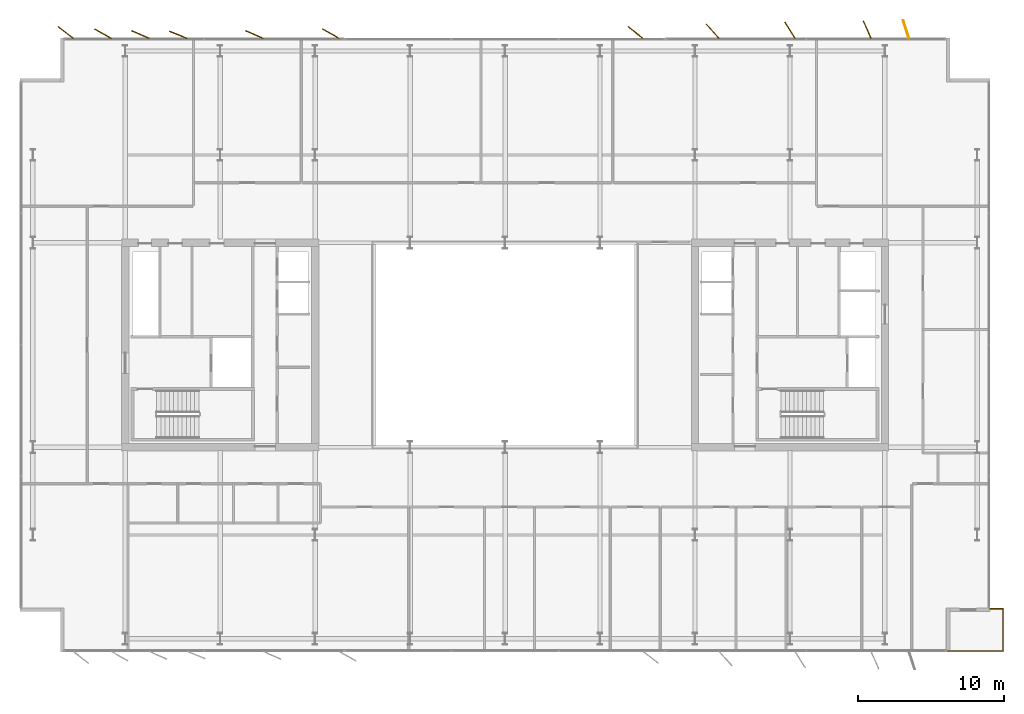
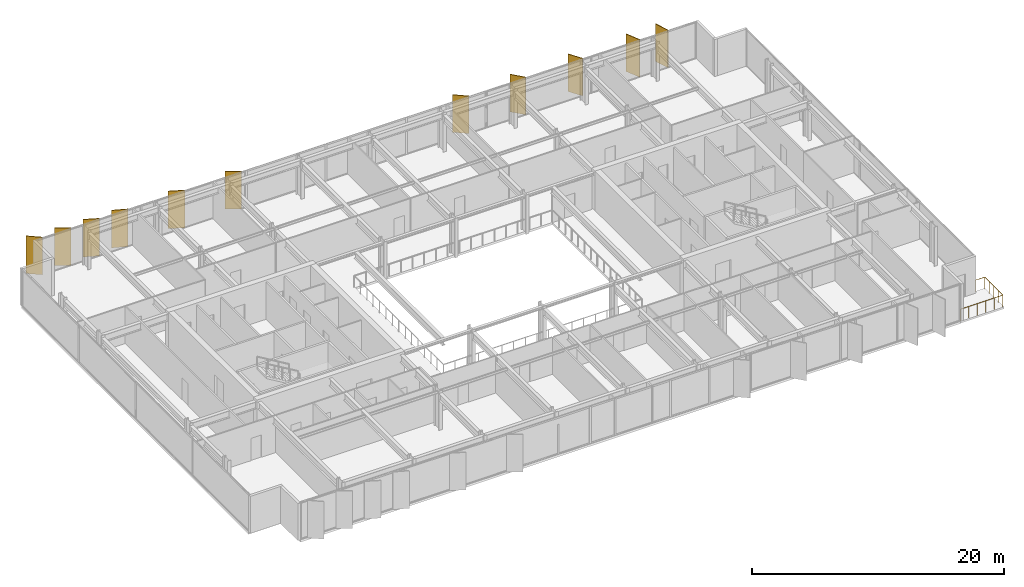
# One storey, part 24 of 24: 11 shading devices, 1 railing.
"""IFC4 building model written with IfcOpenShell, lengths in metres."""

from ifc_helpers import new_model, si_unit, direction, frame, origin, origin_2d, place, context, subcontext, project, spatial, rectangle, circle, extrude, material, layer, layer_set, type_object, element, save


model = new_model("IFC4")

# Units and contexts
model_context = context("Model", 3, precision=1e-05, world=origin(), true_north=direction((0.0, 1.0)))
body_context = subcontext(model_context, "Body", "Model", "MODEL_VIEW")
ifc_project = project(units=[si_unit("LENGTHUNIT", "METRE"), si_unit("AREAUNIT", "SQUARE_METRE"), si_unit("VOLUMEUNIT", "CUBIC_METRE"), si_unit("PLANEANGLEUNIT", "RADIAN"), si_unit("MASSUNIT", "GRAM", prefix="KILO")], contexts=[model_context])

# Site, building, storey
site_placement = place(None, origin())
site = spatial("IfcSite", under=ifc_project, at=site_placement, CompositionType="ELEMENT")
building_placement = place(site_placement, origin())
building = spatial("IfcBuilding", under=site, at=building_placement, Name="Putna Gate Headquarters", CompositionType="ELEMENT")
storey_placement = place(building_placement, frame((0.0, 0.0, 240.39990234375)))
storey = spatial("IfcBuildingStorey", under=building, at=storey_placement, Name="L60", CompositionType="ELEMENT", Elevation=240.39990234375)

# Railing
ifc_material_1 = material(Name="Anodised bronze steel and laminated glass guardrail", Category="steel")
railing_type = type_object("IfcRailingType", Name="RAIL-TERR-GUARD-1150", PredefinedType="GUARDRAIL", material=ifc_material_1)
railing_placement = place(storey_placement, frame((69.199951171875, 5.06005859375, 0.0)))
element("IfcRailing", 1, at=railing_placement, inside=storey, type_object=railing_type, Name="L60 Spiral Sky Terrace Guardrail SE", PredefinedType="GUARDRAIL", context=body_context, shape_type="SweptSolid", body=[
    extrude(circle(Radius=0.02392578125, at=origin_2d()), frame((0.0, 0.0, 1.1259765625), z_axis=(1.0, 0.0, 0.0), x_axis=(0.0, 1.0, 0.0)), (0.0, 0.0, 1.0), 3.89013671875),
    extrude(circle(Radius=0.02392578125, at=origin_2d()), frame((3.89013671875, 0.0, 1.1259765625), z_axis=(0.0, 1.0, 0.0), x_axis=(-1.0, 0.0, 0.0)), (0.0, 0.0, 1.0), 2.8798828125),
    extrude(circle(Radius=0.02392578125, at=origin_2d()), frame((3.89013671875, 2.8798828125, 1.1259765625), z_axis=(-1.0, 0.0, 0.0), x_axis=(0.0, -1.0, 0.0)), (0.0, 0.0, 1.0), 0.89013671875),
    extrude(circle(Radius=0.02099609375, at=origin_2d()), origin(), (0.0, 0.0, 1.0), 1.101806640625),
    extrude(circle(Radius=0.02099609375, at=origin_2d()), frame((0.778076171875, 0.0, 0.0)), (0.0, 0.0, 1.0), 1.101806640625),
    extrude(circle(Radius=0.02099609375, at=origin_2d()), frame((1.55615234375, 0.0, 0.0)), (0.0, 0.0, 1.0), 1.101806640625),
    extrude(circle(Radius=0.02099609375, at=origin_2d()), frame((2.333984375, 0.0, 0.0)), (0.0, 0.0, 1.0), 1.101806640625),
    extrude(circle(Radius=0.02099609375, at=origin_2d()), frame((3.112060546875, 0.0, 0.0)), (0.0, 0.0, 1.0), 1.101806640625),
    extrude(circle(Radius=0.02099609375, at=origin_2d()), frame((3.89013671875, 0.0, 0.0)), (0.0, 0.0, 1.0), 1.101806640625),
    extrude(circle(Radius=0.02099609375, at=origin_2d()), frame((3.89013671875, 0.719970703125, 0.0)), (0.0, 0.0, 1.0), 1.101806640625),
    extrude(circle(Radius=0.02099609375, at=origin_2d()), frame((3.89013671875, 1.43994140625, 0.0)), (0.0, 0.0, 1.0), 1.101806640625),
    extrude(circle(Radius=0.02099609375, at=origin_2d()), frame((3.89013671875, 2.159912109375, 0.0)), (0.0, 0.0, 1.0), 1.101806640625),
    extrude(circle(Radius=0.02099609375, at=origin_2d()), frame((3.89013671875, 2.8798828125, 0.0)), (0.0, 0.0, 1.0), 1.101806640625),
    extrude(circle(Radius=0.02099609375, at=origin_2d()), frame((3.0, 2.8798828125, 0.0)), (0.0, 0.0, 1.0), 1.101806640625),
])

# Shading devices
ifc_material_2 = material(Name="Anodised architectural bronze aluminium fin", Category="aluminium")
ifc_layer = layer(ifc_material_2, 0.06494140625)
ifc_layer_set = layer_set([ifc_layer], Name="Anodised architectural bronze aluminium fin")
shading_device_type = type_object("IfcShadingDeviceType", Name="SHADE-BRONZE-FIN-1320", PredefinedType="USERDEFINED", material=ifc_layer_set)
for number, where, z_axis, x_axis, name in (
    (2, (8.930419921875, 47.3818359375, -0.02001953125), (0.0, 0.0, 1.0), (-0.787473187632, 0.616348909921, 0.0), "L60 Bronze Vertical Shading Fin N1"),
    (3, (11.476318359375, 47.30126953125, -0.02001953125), (0.0, 0.0, 1.0), (-0.869322458298, 0.494245347472, 0.0), "L60 Bronze Vertical Shading Fin N2"),
    (4, (14.047119140625, 47.2431640625, -0.02001953125), (0.0, 0.0, 1.0), (-0.913687379856, 0.40641773078, 0.0), "L60 Bronze Vertical Shading Fin N3"),
    (5, (16.63818359375, 47.22216796875, -0.02001953125), (0.0, 0.0, 1.0), (-0.927183854567, 0.374606593416, 0.0), "L60 Bronze Vertical Shading Fin N4"),
    (6, (21.846923828125, 47.2431640625, -0.02001953125), (0.0, 0.0, 1.0), (-0.913687379856, 0.40641773078, 0.0), "L60 Bronze Vertical Shading Fin N5"),
    (7, (27.076171875, 47.30126953125, -0.02001953125), (0.0, 0.0, 1.0), (-0.869322458298, 0.494245347472, 0.0), "L60 Bronze Vertical Shading Fin N6"),
    (8, (47.930419921875, 47.3818359375, -0.02001953125), (0.0, 0.0, 1.0), (-0.787473187632, 0.616348909921, 0.0), "L60 Bronze Vertical Shading Fin N7"),
    (9, (53.20849609375, 47.465576171875, -0.02001953125), (0.0, 0.0, 1.0), (-0.669130606359, 0.743144825477, 0.0), "L60 Bronze Vertical Shading Fin N8"),
    (10, (58.499755859375, 47.534423828125, -0.02001953125), (0.0, 0.0, 1.0), (-0.530659123936, 0.847585331506, 0.0), "L60 Bronze Vertical Shading Fin N9"),
    (11, (63.78564453125, 47.57958984375, -0.02001953125), (0.0, 0.0, 1.0), (-0.400668879095, 0.916222925562, 0.0), "L60 Bronze Vertical Shading Fin N10"),
    (12, (66.4462890625, 47.602783203125, -0.02001953125), (0.0, 0.0, 1.0), (-0.308684994204, 0.951164325631, 0.0), "L60 Bronze Vertical Shading Fin N11"),
):
    element("IfcShadingDevice", number, at=place(storey_placement, frame(where, z_axis=z_axis, x_axis=x_axis)), inside=storey, type_object=shading_device_type, Name=name, ObjectType="FIN", PredefinedType="USERDEFINED", context=body_context, shape_type="SweptSolid", body=[
        extrude(rectangle(XDim=1.320068359375, YDim=0.06494140625, at=origin_2d()), origin(), (0.0, 0.0, 1.0), 3.6201171875),
    ])

save(model, "model.ifc")
